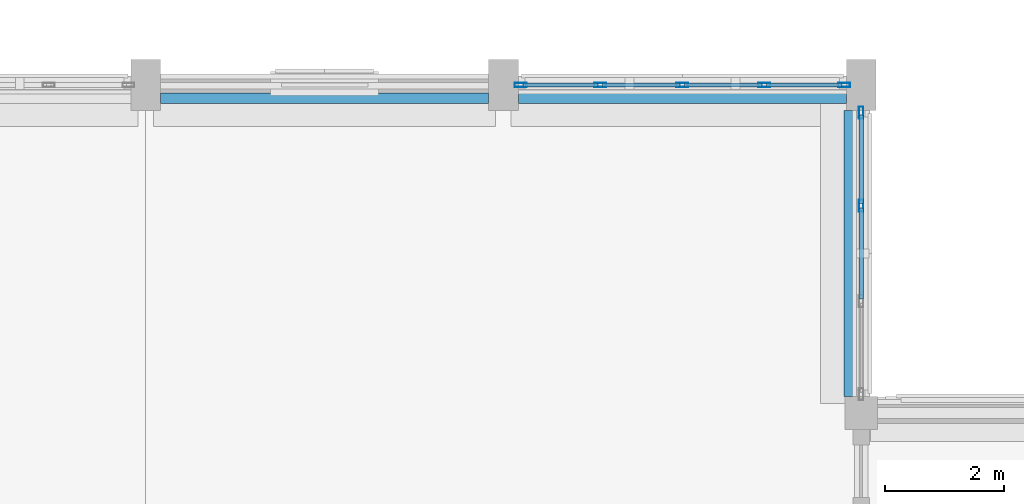
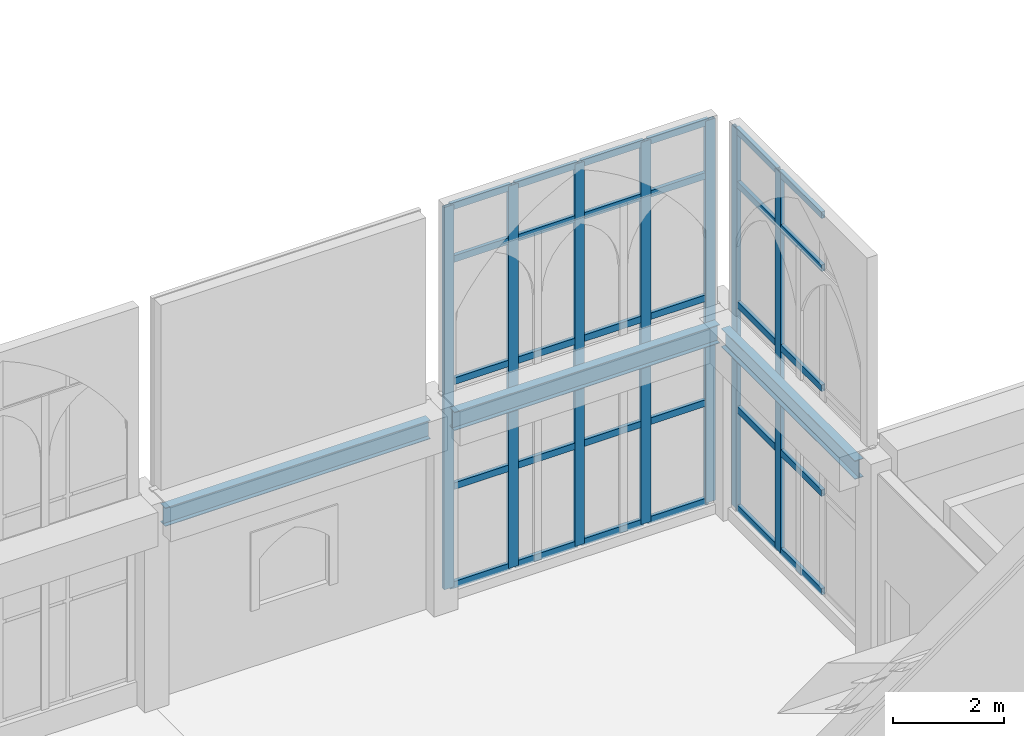
# One storey, part 50 of 108: 37 members, 3 beams, 2 elements without a shape of their own.
"""IFC4 building model written with IfcOpenShell, lengths in metres."""

from ifc_helpers import new_model, si_unit, direction, frame, origin, origin_2d, place, context, subcontext, project, spatial, hollow_rectangle, i_section, extrude, material, layer, layer_set, material_profile, profile_set, type_object, element, aggregate, save


model = new_model("IFC4")

# Units and contexts
model_context = context("Model", 3, precision=1e-05, world=origin(), true_north=direction((0.0, 1.0)))
body_context = subcontext(model_context, "Body", "Model", "MODEL_VIEW")
ifc_project = project(units=[si_unit("LENGTHUNIT", "METRE"), si_unit("AREAUNIT", "SQUARE_METRE"), si_unit("VOLUMEUNIT", "CUBIC_METRE"), si_unit("PLANEANGLEUNIT", "RADIAN"), si_unit("MASSUNIT", "GRAM", prefix="KILO")], contexts=[model_context])

# Site, building, storey
site_placement = place(None, origin())
site = spatial("IfcSite", under=ifc_project, at=site_placement, CompositionType="ELEMENT")
building_placement = place(site_placement, origin())
building = spatial("IfcBuilding", under=site, at=building_placement, Name="Cumevento Cable Car Station", CompositionType="ELEMENT")
storey_placement = place(building_placement, frame((0.0, 0.0, 13.5)))
storey = spatial("IfcBuildingStorey", under=building, at=storey_placement, Name="L04", CompositionType="ELEMENT", Elevation=13.5)

# Curtain wall, members
ifc_material_1 = material(Name="Anodised Bronze Aluminium AW-6063-T6", Category="aluminium")
ifc_layer_1 = layer(ifc_material_1, 0.214111328125)
ifc_layer_set_1 = layer_set([ifc_layer_1], Name="Anodised Bronze Aluminium AW-6063-T6")
curtain_wall_type_1 = type_object("IfcCurtainWallType", Name="Lancet Curtain Wall CW-10 1410", PredefinedType="NOTDEFINED", material=ifc_layer_set_1)
curtain_wall_1_placement = place(storey_placement, origin())
curtain_wall_1 = element("IfcCurtainWall", 1, at=curtain_wall_1_placement, inside=storey, type_object=curtain_wall_type_1, Name="Lancet Curtain Wall CW-10 L04 #169", PredefinedType="NOTDEFINED")
ifc_material_2 = material(Name="Anodised Bronze Aluminium AW-6063-T6", Category="aluminium")
ifc_material_profile_1 = material_profile(ifc_material_2, hollow_rectangle(XDim=0.074951171875, YDim=0.199951171875, WallThickness=0.0048828125, at=origin_2d()), Name="ALUM75x200x5")
ifc_profile_set_1 = profile_set([ifc_material_profile_1], Name="Anodised Bronze Aluminium AW-6063-T6")
member_type_1 = type_object("IfcMemberType", Name="Curtain Mullion CWM-02 ALUM75x200x5", PredefinedType="MULLION", material=ifc_profile_set_1)
member_1_placement = place(storey_placement, frame((112.28759765625, 56.5, 0.2099609375), z_axis=(0.0, 0.0, 1.0), x_axis=(0.0, 1.0, 0.0)))
member_1 = element("IfcMember", 2, at=member_1_placement, type_object=member_type_1, Name="CW-10 mullion 1", PredefinedType="MULLION", context=body_context, shape_type="SweptSolid", body=[
    extrude(hollow_rectangle(XDim=0.074951171875, YDim=0.199951171875, WallThickness=0.0048828125, at=origin_2d()), origin(), (0.0, 0.0, 1.0), 8.383056640625),
])
member_2_placement = place(storey_placement, frame((113.625, 56.5, 0.2099609375), z_axis=(0.0, 0.0, 1.0), x_axis=(0.0, 1.0, 0.0)))
member_2 = element("IfcMember", 3, at=member_2_placement, type_object=member_type_1, Name="CW-10 mullion 2", PredefinedType="MULLION", context=body_context, shape_type="SweptSolid", body=[
    extrude(hollow_rectangle(XDim=0.074951171875, YDim=0.199951171875, WallThickness=0.0048828125, at=origin_2d()), origin(), (0.0, 0.0, 1.0), 8.383056640625),
])
member_3_placement = place(storey_placement, frame((115.0, 56.5, 0.2099609375), z_axis=(0.0, 0.0, 1.0), x_axis=(0.0, 1.0, 0.0)))
member_3 = element("IfcMember", 4, at=member_3_placement, type_object=member_type_1, Name="CW-10 mullion 3", PredefinedType="MULLION", context=body_context, shape_type="SweptSolid", body=[
    extrude(hollow_rectangle(XDim=0.074951171875, YDim=0.199951171875, WallThickness=0.0048828125, at=origin_2d()), origin(), (0.0, 0.0, 1.0), 8.383056640625),
])
member_4_placement = place(storey_placement, frame((116.375, 56.5, 0.2099609375), z_axis=(0.0, 0.0, 1.0), x_axis=(0.0, 1.0, 0.0)))
member_4 = element("IfcMember", 5, at=member_4_placement, type_object=member_type_1, Name="CW-10 mullion 4", PredefinedType="MULLION", context=body_context, shape_type="SweptSolid", body=[
    extrude(hollow_rectangle(XDim=0.074951171875, YDim=0.199951171875, WallThickness=0.0048828125, at=origin_2d()), origin(), (0.0, 0.0, 1.0), 8.383056640625),
])
member_5_placement = place(storey_placement, frame((117.71240234375, 56.5, 0.2099609375), z_axis=(0.0, 0.0, 1.0), x_axis=(0.0, 1.0, 0.0)))
member_5 = element("IfcMember", 6, at=member_5_placement, type_object=member_type_1, Name="CW-10 mullion 5", PredefinedType="MULLION", context=body_context, shape_type="SweptSolid", body=[
    extrude(hollow_rectangle(XDim=0.074951171875, YDim=0.199951171875, WallThickness=0.0048828125, at=origin_2d()), origin(), (0.0, 0.0, 1.0), 8.383056640625),
])

ifc_material_3 = material(Name="Anodised Bronze Aluminium AW-6063-T6", Category="aluminium")
ifc_layer_2 = layer(ifc_material_3, 0.219970703125)
ifc_layer_set_2 = layer_set([ifc_layer_2], Name="Anodised Bronze Aluminium AW-6063-T6")
curtain_wall_type_2 = type_object("IfcCurtainWallType", Name="Lancet Curtain Wall CW-11 1450", PredefinedType="NOTDEFINED", material=ifc_layer_set_2)
curtain_wall_2_placement = place(storey_placement, origin())
curtain_wall_2 = element("IfcCurtainWall", 7, at=curtain_wall_2_placement, inside=storey, type_object=curtain_wall_type_2, Name="Lancet Curtain Wall CW-11 L04 #170", PredefinedType="NOTDEFINED")
member_6_placement = place(storey_placement, frame((118.0, 56.03759765625, 0.260009765625), z_axis=(0.0, 0.0, 1.0), x_axis=(1.0, 0.0, 0.0)))
member_6 = element("IfcMember", 8, at=member_6_placement, type_object=member_type_1, Name="CW-11 mullion 1", PredefinedType="MULLION", context=body_context, shape_type="SweptSolid", body=[
    extrude(hollow_rectangle(XDim=0.074951171875, YDim=0.199951171875, WallThickness=0.0048828125, at=origin_2d()), origin(), (0.0, 0.0, 1.0), 8.3330078125),
])
member_7_placement = place(storey_placement, frame((118.0, 54.47509765625, 0.260009765625), z_axis=(0.0, 0.0, 1.0), x_axis=(1.0, 0.0, 0.0)))
member_7 = element("IfcMember", 9, at=member_7_placement, type_object=member_type_1, Name="CW-11 mullion 2", PredefinedType="MULLION", context=body_context, shape_type="SweptSolid", body=[
    extrude(hollow_rectangle(XDim=0.074951171875, YDim=0.199951171875, WallThickness=0.0048828125, at=origin_2d()), origin(), (0.0, 0.0, 1.0), 8.3330078125),
])

# Member
ifc_material_4 = material(Name="Anodised Bronze Aluminium AW-6063-T6", Category="aluminium")
ifc_material_profile_2 = material_profile(ifc_material_4, hollow_rectangle(XDim=0.074951171875, YDim=0.14501953125, WallThickness=0.00439453125, at=origin_2d()), Name="ALUT75x145x4.5")
ifc_profile_set_2 = profile_set([ifc_material_profile_2], Name="Anodised Bronze Aluminium AW-6063-T6")
member_type_2 = type_object("IfcMemberType", Name="Curtain Transom CWT-02 ALUT75x145x4.5", PredefinedType="USERDEFINED", material=ifc_profile_set_2)
member_8_placement = place(storey_placement, frame((112.324951171875, 56.5, 0.24755859375), z_axis=(1.0, 0.0, 0.0), x_axis=(0.0, 1.0, 0.0)))
member_8 = element("IfcMember", 10, at=member_8_placement, type_object=member_type_2, Name="CW-10 transom 1.1", ObjectType="TRANSOM", PredefinedType="USERDEFINED", context=body_context, shape_type="SweptSolid", body=[
    extrude(hollow_rectangle(XDim=0.074951171875, YDim=0.14501953125, WallThickness=0.00439453125, at=origin_2d()), origin(), (0.0, 0.0, 1.0), 1.262451171875),
])

member_9_placement = place(storey_placement, frame((112.324951171875, 56.5, 2.409912109375), z_axis=(1.0, 0.0, 0.0), x_axis=(0.0, 1.0, 0.0)))
member_9 = element("IfcMember", 11, at=member_9_placement, type_object=member_type_2, Name="CW-10 transom 1.2", ObjectType="TRANSOM", PredefinedType="USERDEFINED", context=body_context, shape_type="SweptSolid", body=[
    extrude(hollow_rectangle(XDim=0.074951171875, YDim=0.14501953125, WallThickness=0.00439453125, at=origin_2d()), origin(), (0.0, 0.0, 1.0), 1.262451171875),
])

member_10_placement = place(storey_placement, frame((112.324951171875, 56.5, 4.7099609375), z_axis=(1.0, 0.0, 0.0), x_axis=(0.0, 1.0, 0.0)))
member_10 = element("IfcMember", 12, at=member_10_placement, type_object=member_type_2, Name="CW-10 transom 1.3", ObjectType="TRANSOM", PredefinedType="USERDEFINED", context=body_context, shape_type="SweptSolid", body=[
    extrude(hollow_rectangle(XDim=0.074951171875, YDim=0.14501953125, WallThickness=0.00439453125, at=origin_2d()), origin(), (0.0, 0.0, 1.0), 1.262451171875),
])

member_11_placement = place(storey_placement, frame((112.324951171875, 56.5, 7.39306640625), z_axis=(1.0, 0.0, 0.0), x_axis=(0.0, 1.0, 0.0)))
member_11 = element("IfcMember", 13, at=member_11_placement, type_object=member_type_2, Name="CW-10 transom 1.4", ObjectType="TRANSOM", PredefinedType="USERDEFINED", context=body_context, shape_type="SweptSolid", body=[
    extrude(hollow_rectangle(XDim=0.074951171875, YDim=0.14501953125, WallThickness=0.00439453125, at=origin_2d()), origin(), (0.0, 0.0, 1.0), 1.262451171875),
])

member_12_placement = place(storey_placement, frame((112.324951171875, 56.5, 8.555419921875), z_axis=(1.0, 0.0, 0.0), x_axis=(0.0, 1.0, 0.0)))
member_12 = element("IfcMember", 14, at=member_12_placement, type_object=member_type_2, Name="CW-10 transom 1.5", ObjectType="TRANSOM", PredefinedType="USERDEFINED", context=body_context, shape_type="SweptSolid", body=[
    extrude(hollow_rectangle(XDim=0.074951171875, YDim=0.14501953125, WallThickness=0.00439453125, at=origin_2d()), origin(), (0.0, 0.0, 1.0), 1.262451171875),
])

member_13_placement = place(storey_placement, frame((113.66259765625, 56.5, 0.24755859375), z_axis=(1.0, 0.0, 0.0), x_axis=(0.0, 1.0, 0.0)))
member_13 = element("IfcMember", 15, at=member_13_placement, type_object=member_type_2, Name="CW-10 transom 2.1", ObjectType="TRANSOM", PredefinedType="USERDEFINED", context=body_context, shape_type="SweptSolid", body=[
    extrude(hollow_rectangle(XDim=0.074951171875, YDim=0.14501953125, WallThickness=0.00439453125, at=origin_2d()), origin(), (0.0, 0.0, 1.0), 1.2998046875),
])

member_14_placement = place(storey_placement, frame((113.66259765625, 56.5, 2.409912109375), z_axis=(1.0, 0.0, 0.0), x_axis=(0.0, 1.0, 0.0)))
member_14 = element("IfcMember", 16, at=member_14_placement, type_object=member_type_2, Name="CW-10 transom 2.2", ObjectType="TRANSOM", PredefinedType="USERDEFINED", context=body_context, shape_type="SweptSolid", body=[
    extrude(hollow_rectangle(XDim=0.074951171875, YDim=0.14501953125, WallThickness=0.00439453125, at=origin_2d()), origin(), (0.0, 0.0, 1.0), 1.2998046875),
])

member_15_placement = place(storey_placement, frame((113.66259765625, 56.5, 4.7099609375), z_axis=(1.0, 0.0, 0.0), x_axis=(0.0, 1.0, 0.0)))
member_15 = element("IfcMember", 17, at=member_15_placement, type_object=member_type_2, Name="CW-10 transom 2.3", ObjectType="TRANSOM", PredefinedType="USERDEFINED", context=body_context, shape_type="SweptSolid", body=[
    extrude(hollow_rectangle(XDim=0.074951171875, YDim=0.14501953125, WallThickness=0.00439453125, at=origin_2d()), origin(), (0.0, 0.0, 1.0), 1.2998046875),
])

member_16_placement = place(storey_placement, frame((113.66259765625, 56.5, 7.39306640625), z_axis=(1.0, 0.0, 0.0), x_axis=(0.0, 1.0, 0.0)))
member_16 = element("IfcMember", 18, at=member_16_placement, type_object=member_type_2, Name="CW-10 transom 2.4", ObjectType="TRANSOM", PredefinedType="USERDEFINED", context=body_context, shape_type="SweptSolid", body=[
    extrude(hollow_rectangle(XDim=0.074951171875, YDim=0.14501953125, WallThickness=0.00439453125, at=origin_2d()), origin(), (0.0, 0.0, 1.0), 1.2998046875),
])

member_17_placement = place(storey_placement, frame((113.66259765625, 56.5, 8.555419921875), z_axis=(1.0, 0.0, 0.0), x_axis=(0.0, 1.0, 0.0)))
member_17 = element("IfcMember", 19, at=member_17_placement, type_object=member_type_2, Name="CW-10 transom 2.5", ObjectType="TRANSOM", PredefinedType="USERDEFINED", context=body_context, shape_type="SweptSolid", body=[
    extrude(hollow_rectangle(XDim=0.074951171875, YDim=0.14501953125, WallThickness=0.00439453125, at=origin_2d()), origin(), (0.0, 0.0, 1.0), 1.2998046875),
])

member_18_placement = place(storey_placement, frame((115.03759765625, 56.5, 0.24755859375), z_axis=(1.0, 0.0, 0.0), x_axis=(0.0, 1.0, 0.0)))
member_18 = element("IfcMember", 20, at=member_18_placement, type_object=member_type_2, Name="CW-10 transom 3.1", ObjectType="TRANSOM", PredefinedType="USERDEFINED", context=body_context, shape_type="SweptSolid", body=[
    extrude(hollow_rectangle(XDim=0.074951171875, YDim=0.14501953125, WallThickness=0.00439453125, at=origin_2d()), origin(), (0.0, 0.0, 1.0), 1.2998046875),
])

member_19_placement = place(storey_placement, frame((115.03759765625, 56.5, 2.409912109375), z_axis=(1.0, 0.0, 0.0), x_axis=(0.0, 1.0, 0.0)))
member_19 = element("IfcMember", 21, at=member_19_placement, type_object=member_type_2, Name="CW-10 transom 3.2", ObjectType="TRANSOM", PredefinedType="USERDEFINED", context=body_context, shape_type="SweptSolid", body=[
    extrude(hollow_rectangle(XDim=0.074951171875, YDim=0.14501953125, WallThickness=0.00439453125, at=origin_2d()), origin(), (0.0, 0.0, 1.0), 1.2998046875),
])

member_20_placement = place(storey_placement, frame((115.03759765625, 56.5, 4.7099609375), z_axis=(1.0, 0.0, 0.0), x_axis=(0.0, 1.0, 0.0)))
member_20 = element("IfcMember", 22, at=member_20_placement, type_object=member_type_2, Name="CW-10 transom 3.3", ObjectType="TRANSOM", PredefinedType="USERDEFINED", context=body_context, shape_type="SweptSolid", body=[
    extrude(hollow_rectangle(XDim=0.074951171875, YDim=0.14501953125, WallThickness=0.00439453125, at=origin_2d()), origin(), (0.0, 0.0, 1.0), 1.2998046875),
])

member_21_placement = place(storey_placement, frame((115.03759765625, 56.5, 7.39306640625), z_axis=(1.0, 0.0, 0.0), x_axis=(0.0, 1.0, 0.0)))
member_21 = element("IfcMember", 23, at=member_21_placement, type_object=member_type_2, Name="CW-10 transom 3.4", ObjectType="TRANSOM", PredefinedType="USERDEFINED", context=body_context, shape_type="SweptSolid", body=[
    extrude(hollow_rectangle(XDim=0.074951171875, YDim=0.14501953125, WallThickness=0.00439453125, at=origin_2d()), origin(), (0.0, 0.0, 1.0), 1.2998046875),
])

member_22_placement = place(storey_placement, frame((115.03759765625, 56.5, 8.555419921875), z_axis=(1.0, 0.0, 0.0), x_axis=(0.0, 1.0, 0.0)))
member_22 = element("IfcMember", 24, at=member_22_placement, type_object=member_type_2, Name="CW-10 transom 3.5", ObjectType="TRANSOM", PredefinedType="USERDEFINED", context=body_context, shape_type="SweptSolid", body=[
    extrude(hollow_rectangle(XDim=0.074951171875, YDim=0.14501953125, WallThickness=0.00439453125, at=origin_2d()), origin(), (0.0, 0.0, 1.0), 1.2998046875),
])

member_23_placement = place(storey_placement, frame((116.41259765625, 56.5, 0.24755859375), z_axis=(1.0, 0.0, 0.0), x_axis=(0.0, 1.0, 0.0)))
member_23 = element("IfcMember", 25, at=member_23_placement, type_object=member_type_2, Name="CW-10 transom 4.1", ObjectType="TRANSOM", PredefinedType="USERDEFINED", context=body_context, shape_type="SweptSolid", body=[
    extrude(hollow_rectangle(XDim=0.074951171875, YDim=0.14501953125, WallThickness=0.00439453125, at=origin_2d()), origin(), (0.0, 0.0, 1.0), 1.262451171875),
])

member_24_placement = place(storey_placement, frame((116.41259765625, 56.5, 2.409912109375), z_axis=(1.0, 0.0, 0.0), x_axis=(0.0, 1.0, 0.0)))
member_24 = element("IfcMember", 26, at=member_24_placement, type_object=member_type_2, Name="CW-10 transom 4.2", ObjectType="TRANSOM", PredefinedType="USERDEFINED", context=body_context, shape_type="SweptSolid", body=[
    extrude(hollow_rectangle(XDim=0.074951171875, YDim=0.14501953125, WallThickness=0.00439453125, at=origin_2d()), origin(), (0.0, 0.0, 1.0), 1.262451171875),
])

member_25_placement = place(storey_placement, frame((116.41259765625, 56.5, 4.7099609375), z_axis=(1.0, 0.0, 0.0), x_axis=(0.0, 1.0, 0.0)))
member_25 = element("IfcMember", 27, at=member_25_placement, type_object=member_type_2, Name="CW-10 transom 4.3", ObjectType="TRANSOM", PredefinedType="USERDEFINED", context=body_context, shape_type="SweptSolid", body=[
    extrude(hollow_rectangle(XDim=0.074951171875, YDim=0.14501953125, WallThickness=0.00439453125, at=origin_2d()), origin(), (0.0, 0.0, 1.0), 1.262451171875),
])

member_26_placement = place(storey_placement, frame((116.41259765625, 56.5, 7.39306640625), z_axis=(1.0, 0.0, 0.0), x_axis=(0.0, 1.0, 0.0)))
member_26 = element("IfcMember", 28, at=member_26_placement, type_object=member_type_2, Name="CW-10 transom 4.4", ObjectType="TRANSOM", PredefinedType="USERDEFINED", context=body_context, shape_type="SweptSolid", body=[
    extrude(hollow_rectangle(XDim=0.074951171875, YDim=0.14501953125, WallThickness=0.00439453125, at=origin_2d()), origin(), (0.0, 0.0, 1.0), 1.262451171875),
])

member_27_placement = place(storey_placement, frame((116.41259765625, 56.5, 8.555419921875), z_axis=(1.0, 0.0, 0.0), x_axis=(0.0, 1.0, 0.0)))
member_27 = element("IfcMember", 29, at=member_27_placement, type_object=member_type_2, Name="CW-10 transom 4.5", ObjectType="TRANSOM", PredefinedType="USERDEFINED", context=body_context, shape_type="SweptSolid", body=[
    extrude(hollow_rectangle(XDim=0.074951171875, YDim=0.14501953125, WallThickness=0.00439453125, at=origin_2d()), origin(), (0.0, 0.0, 1.0), 1.262451171875),
])

aggregate(curtain_wall_1, [member_1, member_2, member_3, member_4, member_5, member_8, member_9, member_10, member_11, member_12, member_13, member_14, member_15, member_16, member_17, member_18, member_19, member_20, member_21, member_22, member_23, member_24, member_25, member_26, member_27])

member_28_placement = place(storey_placement, frame((118.0, 56.0, 0.297607421875), z_axis=(0.0, -1.0, 0.0), x_axis=(1.0, 0.0, 0.0)))
member_28 = element("IfcMember", 30, at=member_28_placement, type_object=member_type_2, Name="CW-11 transom 1.1", ObjectType="TRANSOM", PredefinedType="USERDEFINED", context=body_context, shape_type="SweptSolid", body=[
    extrude(hollow_rectangle(XDim=0.074951171875, YDim=0.14501953125, WallThickness=0.00439453125, at=origin_2d()), origin(), (0.0, 0.0, 1.0), 1.487548828125),
])

member_29_placement = place(storey_placement, frame((118.0, 56.0, 2.4599609375), z_axis=(0.0, -1.0, 0.0), x_axis=(1.0, 0.0, 0.0)))
member_29 = element("IfcMember", 31, at=member_29_placement, type_object=member_type_2, Name="CW-11 transom 1.2", ObjectType="TRANSOM", PredefinedType="USERDEFINED", context=body_context, shape_type="SweptSolid", body=[
    extrude(hollow_rectangle(XDim=0.074951171875, YDim=0.14501953125, WallThickness=0.00439453125, at=origin_2d()), origin(), (0.0, 0.0, 1.0), 1.487548828125),
])

member_30_placement = place(storey_placement, frame((118.0, 56.0, 4.760009765625), z_axis=(0.0, -1.0, 0.0), x_axis=(1.0, 0.0, 0.0)))
member_30 = element("IfcMember", 32, at=member_30_placement, type_object=member_type_2, Name="CW-11 transom 1.3", ObjectType="TRANSOM", PredefinedType="USERDEFINED", context=body_context, shape_type="SweptSolid", body=[
    extrude(hollow_rectangle(XDim=0.074951171875, YDim=0.14501953125, WallThickness=0.00439453125, at=origin_2d()), origin(), (0.0, 0.0, 1.0), 1.487548828125),
])

member_31_placement = place(storey_placement, frame((118.0, 56.0, 7.39306640625), z_axis=(0.0, -1.0, 0.0), x_axis=(1.0, 0.0, 0.0)))
member_31 = element("IfcMember", 33, at=member_31_placement, type_object=member_type_2, Name="CW-11 transom 1.4", ObjectType="TRANSOM", PredefinedType="USERDEFINED", context=body_context, shape_type="SweptSolid", body=[
    extrude(hollow_rectangle(XDim=0.074951171875, YDim=0.14501953125, WallThickness=0.00439453125, at=origin_2d()), origin(), (0.0, 0.0, 1.0), 1.487548828125),
])

member_32_placement = place(storey_placement, frame((118.0, 56.0, 8.555419921875), z_axis=(0.0, -1.0, 0.0), x_axis=(1.0, 0.0, 0.0)))
member_32 = element("IfcMember", 34, at=member_32_placement, type_object=member_type_2, Name="CW-11 transom 1.5", ObjectType="TRANSOM", PredefinedType="USERDEFINED", context=body_context, shape_type="SweptSolid", body=[
    extrude(hollow_rectangle(XDim=0.074951171875, YDim=0.14501953125, WallThickness=0.00439453125, at=origin_2d()), origin(), (0.0, 0.0, 1.0), 1.487548828125),
])

member_33_placement = place(storey_placement, frame((118.0, 54.4375, 0.297607421875), z_axis=(0.0, -1.0, 0.0), x_axis=(1.0, 0.0, 0.0)))
member_33 = element("IfcMember", 35, at=member_33_placement, type_object=member_type_2, Name="CW-11 transom 2.1", ObjectType="TRANSOM", PredefinedType="USERDEFINED", context=body_context, shape_type="SweptSolid", body=[
    extrude(hollow_rectangle(XDim=0.074951171875, YDim=0.14501953125, WallThickness=0.00439453125, at=origin_2d()), origin(), (0.0, 0.0, 1.0), 1.52490234375),
])

member_34_placement = place(storey_placement, frame((118.0, 54.4375, 2.4599609375), z_axis=(0.0, -1.0, 0.0), x_axis=(1.0, 0.0, 0.0)))
member_34 = element("IfcMember", 36, at=member_34_placement, type_object=member_type_2, Name="CW-11 transom 2.2", ObjectType="TRANSOM", PredefinedType="USERDEFINED", context=body_context, shape_type="SweptSolid", body=[
    extrude(hollow_rectangle(XDim=0.074951171875, YDim=0.14501953125, WallThickness=0.00439453125, at=origin_2d()), origin(), (0.0, 0.0, 1.0), 1.52490234375),
])

member_35_placement = place(storey_placement, frame((118.0, 54.4375, 4.760009765625), z_axis=(0.0, -1.0, 0.0), x_axis=(1.0, 0.0, 0.0)))
member_35 = element("IfcMember", 37, at=member_35_placement, type_object=member_type_2, Name="CW-11 transom 2.3", ObjectType="TRANSOM", PredefinedType="USERDEFINED", context=body_context, shape_type="SweptSolid", body=[
    extrude(hollow_rectangle(XDim=0.074951171875, YDim=0.14501953125, WallThickness=0.00439453125, at=origin_2d()), origin(), (0.0, 0.0, 1.0), 1.52490234375),
])

member_36_placement = place(storey_placement, frame((118.0, 54.4375, 7.39306640625), z_axis=(0.0, -1.0, 0.0), x_axis=(1.0, 0.0, 0.0)))
member_36 = element("IfcMember", 38, at=member_36_placement, type_object=member_type_2, Name="CW-11 transom 2.4", ObjectType="TRANSOM", PredefinedType="USERDEFINED", context=body_context, shape_type="SweptSolid", body=[
    extrude(hollow_rectangle(XDim=0.074951171875, YDim=0.14501953125, WallThickness=0.00439453125, at=origin_2d()), origin(), (0.0, 0.0, 1.0), 1.52490234375),
])

member_37_placement = place(storey_placement, frame((118.0, 54.4375, 8.555419921875), z_axis=(0.0, -1.0, 0.0), x_axis=(1.0, 0.0, 0.0)))
member_37 = element("IfcMember", 39, at=member_37_placement, type_object=member_type_2, Name="CW-11 transom 2.5", ObjectType="TRANSOM", PredefinedType="USERDEFINED", context=body_context, shape_type="SweptSolid", body=[
    extrude(hollow_rectangle(XDim=0.074951171875, YDim=0.14501953125, WallThickness=0.00439453125, at=origin_2d()), origin(), (0.0, 0.0, 1.0), 1.52490234375),
])

aggregate(curtain_wall_2, [member_6, member_7, member_28, member_29, member_30, member_31, member_32, member_33, member_34, member_35, member_36, member_37])

# Beams
ifc_material_5 = material(Name="Steel ASTM A572 Grade 50", Category="steel")
ifc_material_profile_3 = material_profile(ifc_material_5, i_section(OverallWidth=0.177978515625, OverallDepth=0.406982421875, WebThickness=0.0078125, FlangeThickness=0.0126953125, at=origin_2d()), Name="W410x60.0")
ifc_profile_set_3 = profile_set([ifc_material_profile_3], Name="Steel ASTM A572 Grade 50")
beam_type = type_object("IfcBeamType", Name="Structural Spandrel SP-01 W410x60.0", PredefinedType="SPANDREL", material=ifc_profile_set_3)
for number, where, z_axis, x_axis, name in (
    (40, (106.25, 56.280029296875, 4.04638671875), (1.0, 0.0, 0.0), (0.0, 1.0, 0.0), "Beam SP-01 L04 #1433"),
    (41, (112.25, 56.280029296875, 4.04638671875), (1.0, 0.0, 0.0), (0.0, 1.0, 0.0), "Beam SP-01 L04 #1434"),
):
    element("IfcBeam", number, at=place(storey_placement, frame(where, z_axis=z_axis, x_axis=x_axis)), inside=storey, type_object=beam_type, Name=name, PredefinedType="SPANDREL", context=body_context, shape_type="SweptSolid", body=[
        extrude(i_section(OverallWidth=0.177978515625, OverallDepth=0.406982421875, WebThickness=0.0078125, FlangeThickness=0.0126953125, at=origin_2d()), origin(), (0.0, 0.0, 1.0), 5.5),
    ])
beam_placement = place(storey_placement, frame((117.800048828125, 51.27490234375, 4.04638671875), z_axis=(0.0, 1.0, 0.0), x_axis=(-1.0, 0.0, 0.0)))
element("IfcBeam", 42, at=beam_placement, inside=storey, type_object=beam_type, Name="Beam SP-01 L04 #1436", PredefinedType="SPANDREL", context=body_context, shape_type="SweptSolid", body=[
    extrude(i_section(OverallWidth=0.177978515625, OverallDepth=0.406982421875, WebThickness=0.0078125, FlangeThickness=0.0126953125, at=origin_2d()), origin(), (0.0, 0.0, 1.0), 4.800048828125),
])

save(model, "model.ifc")
